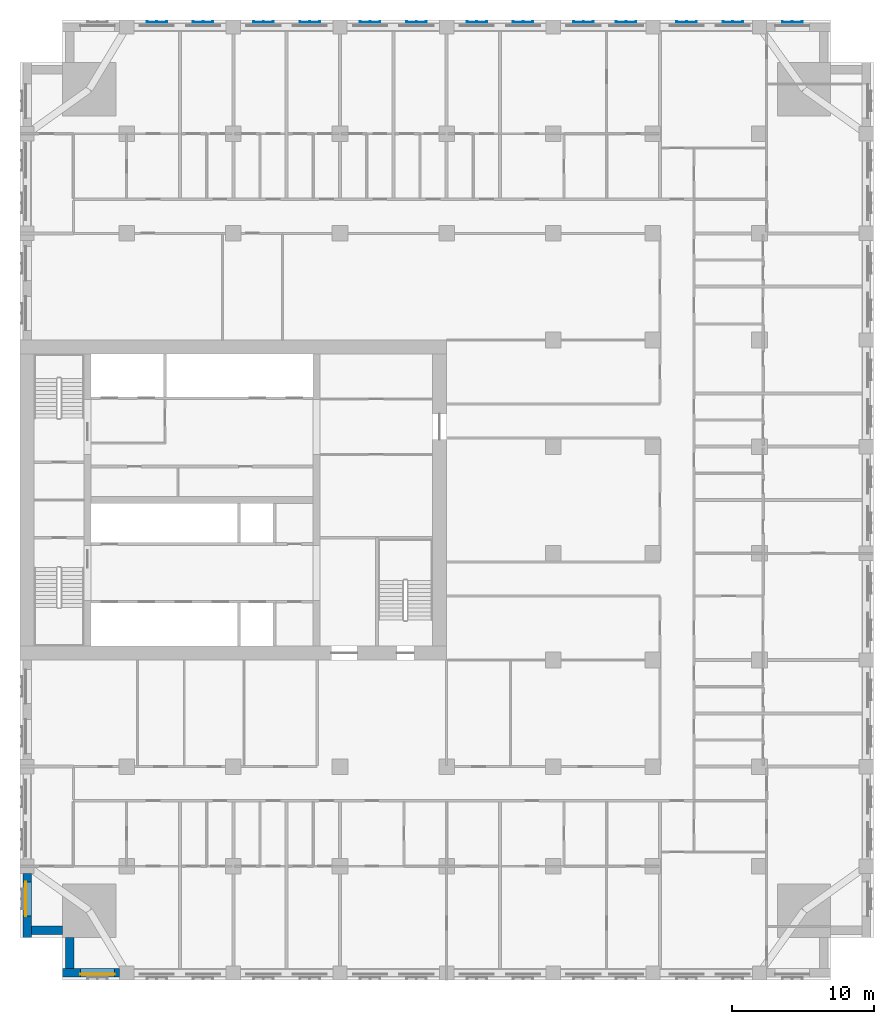
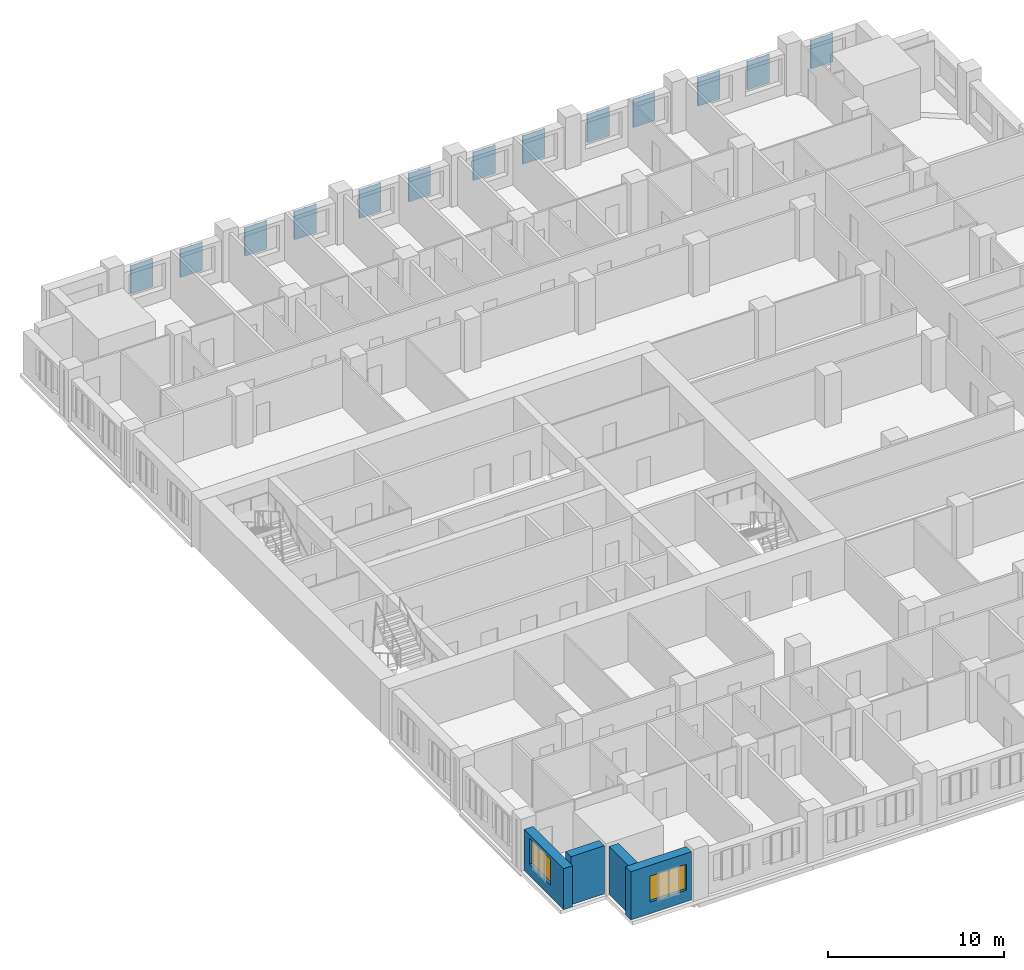
# One storey, part 3 of 15: 13 plates, 4 walls, 2 windows, 2 openings.
"""IFC4 building model written with IfcOpenShell, lengths in metres."""

from ifc_helpers import new_model, si_unit, direction, frame, frame_2d, origin, place, context, subcontext, project, spatial, polyline, rectangle, outline, extrude, material, layer, layer_set, type_object, element, fill, save


model = new_model("IFC4")

# Units and contexts
model_context = context("Model", 3, precision=1e-05, world=origin(), true_north=direction((0.0, 1.0)))
body_context = subcontext(model_context, "Body", "Model", "MODEL_VIEW")
ifc_project = project(units=[si_unit("LENGTHUNIT", "METRE"), si_unit("AREAUNIT", "SQUARE_METRE"), si_unit("VOLUMEUNIT", "CUBIC_METRE"), si_unit("PLANEANGLEUNIT", "RADIAN"), si_unit("MASSUNIT", "GRAM", prefix="KILO")], contexts=[model_context])

# Site, building, storey
site_placement = place(None, origin())
site = spatial("IfcSite", under=ifc_project, at=site_placement, CompositionType="ELEMENT")
building_placement = place(site_placement, origin())
building = spatial("IfcBuilding", under=site, at=building_placement, Name="Tamorin Gate", CompositionType="ELEMENT")
storey_placement = place(building_placement, frame((0.0, 0.0, 111.5)))
storey = spatial("IfcBuildingStorey", under=building, at=storey_placement, Name="L27", CompositionType="ELEMENT", Elevation=111.5)

# Plates
ifc_material_1 = material(Name="Perforated pale aluminium sheet", Category="aluminium")
ifc_layer_1 = layer(ifc_material_1, 0.0400390625)
ifc_layer_set_1 = layer_set([ifc_layer_1], Name="Pale metal solar screen 1440")
plate_type = type_object("IfcPlateType", Name="Pale metal solar screen 1440", PredefinedType="SHEET", material=ifc_layer_set_1)
plate_1_placement = place(storey_placement, frame((0.0, 0.0, 0.7099609375)))
element("IfcPlate", 1, at=plate_1_placement, inside=storey, type_object=plate_type, Name="Perforated solar screen", PredefinedType="SHEET", context=body_context, shape_type="SweptSolid", body=[
    extrude(outline(polyline([(85.02001953125, 104.840087890625), (85.02001953125, 104.800048828125), (84.9599609375, 104.800048828125), (84.330078125, 104.800048828125), (84.27001953125, 104.800048828125), (83.639892578125, 104.800048828125), (83.580078125, 104.800048828125), (83.580078125, 104.840087890625), (83.580078125, 104.89990234375), (83.639892578125, 104.89990234375), (83.639892578125, 104.840087890625), (84.27001953125, 104.840087890625), (84.27001953125, 104.89990234375), (84.330078125, 104.89990234375), (84.330078125, 104.840087890625), (84.9599609375, 104.840087890625), (84.9599609375, 104.89990234375), (85.02001953125, 104.89990234375), (85.02001953125, 104.840087890625)])), origin(), (0.0, 0.0, 1.0), 1.97998046875),
])
plate_2_placement = place(storey_placement, frame((0.0, 0.0, 0.7099609375)))
element("IfcPlate", 2, at=plate_2_placement, inside=storey, type_object=plate_type, Name="Perforated solar screen", PredefinedType="SHEET", context=body_context, shape_type="SweptSolid", body=[
    extrude(outline(polyline([(77.594970703125, 104.840087890625), (77.594970703125, 104.800048828125), (77.534912109375, 104.800048828125), (76.905029296875, 104.800048828125), (76.844970703125, 104.800048828125), (76.215087890625, 104.800048828125), (76.155029296875, 104.800048828125), (76.155029296875, 104.840087890625), (76.155029296875, 104.89990234375), (76.215087890625, 104.89990234375), (76.215087890625, 104.840087890625), (76.844970703125, 104.840087890625), (76.844970703125, 104.89990234375), (76.905029296875, 104.89990234375), (76.905029296875, 104.840087890625), (77.534912109375, 104.840087890625), (77.534912109375, 104.89990234375), (77.594970703125, 104.89990234375), (77.594970703125, 104.840087890625)])), origin(), (0.0, 0.0, 1.0), 1.97998046875),
])
plate_3_placement = place(storey_placement, frame((0.0, 0.0, 0.7099609375)))
element("IfcPlate", 3, at=plate_3_placement, inside=storey, type_object=plate_type, Name="Perforated solar screen", PredefinedType="SHEET", context=body_context, shape_type="SweptSolid", body=[
    extrude(outline(polyline([(80.844970703125, 104.840087890625), (80.844970703125, 104.800048828125), (80.784912109375, 104.800048828125), (80.155029296875, 104.800048828125), (80.094970703125, 104.800048828125), (79.465087890625, 104.800048828125), (79.405029296875, 104.800048828125), (79.405029296875, 104.800048828125), (79.405029296875, 104.840087890625), (79.405029296875, 104.840087890625), (79.405029296875, 104.89990234375), (79.465087890625, 104.89990234375), (79.465087890625, 104.840087890625), (80.094970703125, 104.840087890625), (80.094970703125, 104.89990234375), (80.155029296875, 104.89990234375), (80.155029296875, 104.840087890625), (80.784912109375, 104.840087890625), (80.784912109375, 104.89990234375), (80.844970703125, 104.89990234375), (80.844970703125, 104.840087890625)])), origin(), (0.0, 0.0, 1.0), 1.97998046875),
])
plate_4_placement = place(storey_placement, frame((0.0, 0.0, 0.7099609375)))
element("IfcPlate", 4, at=plate_4_placement, inside=storey, type_object=plate_type, Name="Perforated solar screen", PredefinedType="SHEET", context=body_context, shape_type="SweptSolid", body=[
    extrude(outline(polyline([(70.344970703125, 104.840087890625), (70.344970703125, 104.800048828125), (70.284912109375, 104.800048828125), (69.655029296875, 104.800048828125), (69.594970703125, 104.800048828125), (68.965087890625, 104.800048828125), (68.905029296875, 104.800048828125), (68.905029296875, 104.840087890625), (68.905029296875, 104.89990234375), (68.965087890625, 104.89990234375), (68.965087890625, 104.840087890625), (69.594970703125, 104.840087890625), (69.594970703125, 104.89990234375), (69.655029296875, 104.89990234375), (69.655029296875, 104.840087890625), (70.284912109375, 104.840087890625), (70.284912109375, 104.89990234375), (70.344970703125, 104.89990234375), (70.344970703125, 104.840087890625)])), origin(), (0.0, 0.0, 1.0), 1.97998046875),
])
plate_5_placement = place(storey_placement, frame((0.0, 0.0, 0.7099609375)))
element("IfcPlate", 5, at=plate_5_placement, inside=storey, type_object=plate_type, Name="Perforated solar screen", PredefinedType="SHEET", context=body_context, shape_type="SweptSolid", body=[
    extrude(outline(polyline([(73.344970703125, 104.840087890625), (73.344970703125, 104.800048828125), (73.284912109375, 104.800048828125), (72.655029296875, 104.800048828125), (72.594970703125, 104.800048828125), (71.965087890625, 104.800048828125), (71.905029296875, 104.800048828125), (71.905029296875, 104.840087890625), (71.905029296875, 104.89990234375), (71.965087890625, 104.89990234375), (71.965087890625, 104.840087890625), (72.594970703125, 104.840087890625), (72.594970703125, 104.89990234375), (72.655029296875, 104.89990234375), (72.655029296875, 104.840087890625), (73.284912109375, 104.840087890625), (73.284912109375, 104.89990234375), (73.344970703125, 104.89990234375), (73.344970703125, 104.840087890625)])), origin(), (0.0, 0.0, 1.0), 1.97998046875),
])
plate_6_placement = place(storey_placement, frame((0.0, 0.0, 0.7099609375)))
element("IfcPlate", 6, at=plate_6_placement, inside=storey, type_object=plate_type, Name="Perforated solar screen", PredefinedType="SHEET", context=body_context, shape_type="SweptSolid", body=[
    extrude(outline(polyline([(62.844970703125, 104.840087890625), (62.844970703125, 104.800048828125), (62.784912109375, 104.800048828125), (62.155029296875, 104.800048828125), (62.094970703125, 104.800048828125), (61.465087890625, 104.800048828125), (61.405029296875, 104.800048828125), (61.405029296875, 104.840087890625), (61.405029296875, 104.89990234375), (61.465087890625, 104.89990234375), (61.465087890625, 104.840087890625), (62.094970703125, 104.840087890625), (62.094970703125, 104.89990234375), (62.155029296875, 104.89990234375), (62.155029296875, 104.840087890625), (62.784912109375, 104.840087890625), (62.784912109375, 104.89990234375), (62.844970703125, 104.89990234375), (62.844970703125, 104.840087890625)])), origin(), (0.0, 0.0, 1.0), 1.97998046875),
])
plate_7_placement = place(storey_placement, frame((0.0, 0.0, 0.7099609375)))
element("IfcPlate", 7, at=plate_7_placement, inside=storey, type_object=plate_type, Name="Perforated solar screen", PredefinedType="SHEET", context=body_context, shape_type="SweptSolid", body=[
    extrude(outline(polyline([(66.094970703125, 104.840087890625), (66.094970703125, 104.800048828125), (66.034912109375, 104.800048828125), (65.405029296875, 104.800048828125), (65.344970703125, 104.800048828125), (64.715087890625, 104.800048828125), (64.655029296875, 104.800048828125), (64.655029296875, 104.840087890625), (64.655029296875, 104.89990234375), (64.715087890625, 104.89990234375), (64.715087890625, 104.840087890625), (65.344970703125, 104.840087890625), (65.344970703125, 104.89990234375), (65.405029296875, 104.89990234375), (65.405029296875, 104.840087890625), (66.034912109375, 104.840087890625), (66.034912109375, 104.89990234375), (66.094970703125, 104.89990234375), (66.094970703125, 104.840087890625)])), origin(), (0.0, 0.0, 1.0), 1.97998046875),
])
plate_8_placement = place(storey_placement, frame((0.0, 0.0, 0.7099609375)))
element("IfcPlate", 8, at=plate_8_placement, inside=storey, type_object=plate_type, Name="Perforated solar screen", PredefinedType="SHEET", context=body_context, shape_type="SweptSolid", body=[
    extrude(outline(polyline([(55.344970703125, 104.840087890625), (55.344970703125, 104.800048828125), (55.284912109375, 104.800048828125), (54.655029296875, 104.800048828125), (54.594970703125, 104.800048828125), (53.965087890625, 104.800048828125), (53.905029296875, 104.800048828125), (53.905029296875, 104.840087890625), (53.905029296875, 104.89990234375), (53.965087890625, 104.89990234375), (53.965087890625, 104.840087890625), (54.594970703125, 104.840087890625), (54.594970703125, 104.89990234375), (54.655029296875, 104.89990234375), (54.655029296875, 104.840087890625), (55.284912109375, 104.840087890625), (55.284912109375, 104.89990234375), (55.344970703125, 104.89990234375), (55.344970703125, 104.840087890625)])), origin(), (0.0, 0.0, 1.0), 1.97998046875),
])
plate_9_placement = place(storey_placement, frame((0.0, 0.0, 0.7099609375)))
element("IfcPlate", 9, at=plate_9_placement, inside=storey, type_object=plate_type, Name="Perforated solar screen", PredefinedType="SHEET", context=body_context, shape_type="SweptSolid", body=[
    extrude(outline(polyline([(58.594970703125, 104.840087890625), (58.594970703125, 104.800048828125), (58.534912109375, 104.800048828125), (57.905029296875, 104.800048828125), (57.844970703125, 104.800048828125), (57.215087890625, 104.800048828125), (57.155029296875, 104.800048828125), (57.155029296875, 104.840087890625), (57.155029296875, 104.89990234375), (57.215087890625, 104.89990234375), (57.215087890625, 104.840087890625), (57.844970703125, 104.840087890625), (57.844970703125, 104.89990234375), (57.905029296875, 104.89990234375), (57.905029296875, 104.840087890625), (58.534912109375, 104.840087890625), (58.534912109375, 104.89990234375), (58.594970703125, 104.89990234375), (58.594970703125, 104.840087890625)])), origin(), (0.0, 0.0, 1.0), 1.97998046875),
])
plate_10_placement = place(storey_placement, frame((0.0, 0.0, 0.7099609375)))
element("IfcPlate", 10, at=plate_10_placement, inside=storey, type_object=plate_type, Name="Perforated solar screen", PredefinedType="SHEET", context=body_context, shape_type="SweptSolid", body=[
    extrude(outline(polyline([(47.844970703125, 104.840087890625), (47.844970703125, 104.800048828125), (47.784912109375, 104.800048828125), (47.155029296875, 104.800048828125), (47.094970703125, 104.800048828125), (46.465087890625, 104.800048828125), (46.405029296875, 104.800048828125), (46.405029296875, 104.840087890625), (46.405029296875, 104.89990234375), (46.465087890625, 104.89990234375), (46.465087890625, 104.840087890625), (47.094970703125, 104.840087890625), (47.094970703125, 104.89990234375), (47.155029296875, 104.89990234375), (47.155029296875, 104.840087890625), (47.784912109375, 104.840087890625), (47.784912109375, 104.89990234375), (47.844970703125, 104.89990234375), (47.844970703125, 104.840087890625)])), origin(), (0.0, 0.0, 1.0), 1.97998046875),
])
plate_11_placement = place(storey_placement, frame((0.0, 0.0, 0.7099609375)))
element("IfcPlate", 11, at=plate_11_placement, inside=storey, type_object=plate_type, Name="Perforated solar screen", PredefinedType="SHEET", context=body_context, shape_type="SweptSolid", body=[
    extrude(outline(polyline([(51.094970703125, 104.840087890625), (51.094970703125, 104.800048828125), (51.034912109375, 104.800048828125), (50.405029296875, 104.800048828125), (50.344970703125, 104.800048828125), (49.715087890625, 104.800048828125), (49.655029296875, 104.800048828125), (49.655029296875, 104.840087890625), (49.655029296875, 104.89990234375), (49.715087890625, 104.89990234375), (49.715087890625, 104.840087890625), (50.344970703125, 104.840087890625), (50.344970703125, 104.89990234375), (50.405029296875, 104.89990234375), (50.405029296875, 104.840087890625), (51.034912109375, 104.840087890625), (51.034912109375, 104.89990234375), (51.094970703125, 104.89990234375), (51.094970703125, 104.840087890625)])), origin(), (0.0, 0.0, 1.0), 1.97998046875),
])
plate_12_placement = place(storey_placement, frame((0.0, 0.0, 0.7099609375)))
element("IfcPlate", 12, at=plate_12_placement, inside=storey, type_object=plate_type, Name="Perforated solar screen", PredefinedType="SHEET", context=body_context, shape_type="SweptSolid", body=[
    extrude(outline(polyline([(40.344970703125, 104.840087890625), (40.344970703125, 104.800048828125), (40.284912109375, 104.800048828125), (39.655029296875, 104.800048828125), (39.594970703125, 104.800048828125), (38.965087890625, 104.800048828125), (38.905029296875, 104.800048828125), (38.905029296875, 104.840087890625), (38.905029296875, 104.89990234375), (38.965087890625, 104.89990234375), (38.965087890625, 104.840087890625), (39.594970703125, 104.840087890625), (39.594970703125, 104.89990234375), (39.655029296875, 104.89990234375), (39.655029296875, 104.840087890625), (40.284912109375, 104.840087890625), (40.284912109375, 104.89990234375), (40.344970703125, 104.89990234375), (40.344970703125, 104.840087890625)])), origin(), (0.0, 0.0, 1.0), 1.97998046875),
])
plate_13_placement = place(storey_placement, frame((0.0, 0.0, 0.7099609375)))
element("IfcPlate", 13, at=plate_13_placement, inside=storey, type_object=plate_type, Name="Perforated solar screen", PredefinedType="SHEET", context=body_context, shape_type="SweptSolid", body=[
    extrude(outline(polyline([(43.594970703125, 104.840087890625), (43.594970703125, 104.800048828125), (43.534912109375, 104.800048828125), (42.905029296875, 104.800048828125), (42.844970703125, 104.800048828125), (42.215087890625, 104.800048828125), (42.155029296875, 104.800048828125), (42.155029296875, 104.840087890625), (42.155029296875, 104.89990234375), (42.215087890625, 104.89990234375), (42.215087890625, 104.840087890625), (42.844970703125, 104.840087890625), (42.844970703125, 104.89990234375), (42.905029296875, 104.89990234375), (42.905029296875, 104.840087890625), (43.534912109375, 104.840087890625), (43.534912109375, 104.89990234375), (43.594970703125, 104.89990234375), (43.594970703125, 104.840087890625)])), origin(), (0.0, 0.0, 1.0), 1.97998046875),
])

# Wall, opening, window
ifc_material_2 = material(Name="Precast concrete C40/50", Category="concrete")
ifc_layer_2 = layer(ifc_material_2, 0.60009765625)
ifc_layer_set_2 = layer_set([ifc_layer_2], Name="Precast concrete C40/50")
wall_type = type_object("IfcWallType", Name="Board-marked concrete facade panel 600", PredefinedType="SOLIDWALL", material=ifc_layer_set_2)
wall_1_placement = place(storey_placement, frame((33.0, 38.0, 0.0), z_axis=(0.0, 0.0, 1.0), x_axis=(1.0, 0.0, 0.0)))
wall_1 = element("IfcWall", 14, at=wall_1_placement, inside=storey, type_object=wall_type, Name="Facade panel", PredefinedType="SOLIDWALL", context=body_context, shape_type="SweptSolid", body=[
    extrude(rectangle(XDim=4.0, YDim=0.60009765625, at=frame_2d((2.0, 0.0))), origin(), (0.0, 0.0, 1.0), 3.35009765625),
])
opening_1_placement = place(wall_1_placement, frame((1.25, 0.0, 0.800048828125)))
opening_1 = element("IfcOpeningElement", 15, at=opening_1_placement, cuts=wall_1, Name="Opening WN1", PredefinedType="OPENING", context=body_context, shape_type="SweptSolid", body=[
    extrude(rectangle(XDim=2.39990234375, YDim=1.800048828125, at=frame_2d((1.199951171875, 0.89990234375))), frame((0.0, 0.31005859375, 0.0), z_axis=(0.0, -1.0, 0.0), x_axis=(1.0, 0.0, 0.0)), (0.0, 0.0, 1.0), 0.6201171875),
])
ifc_material_3 = material(Name="Clear glass in aluminium frame", Category="aluminium")
window_type = type_object("IfcWindowType", Name="Deep-set window 2400x1800", PartitioningType="SINGLE_PANEL", PredefinedType="WINDOW", material=ifc_material_3)
window_1_placement = place(opening_1_placement, origin())
window_1 = element("IfcWindow", 16, at=window_1_placement, inside=storey, type_object=window_type, Name="Deep-set window", OverallHeight=1.800048828125, OverallWidth=2.39990234375, PartitioningType="SINGLE_PANEL", PredefinedType="WINDOW", context=body_context, shape_type="SweptSolid", body=[
    extrude(rectangle(XDim=2.39990234375, YDim=1.800048828125, at=frame_2d((1.199951171875, 0.89990234375))), frame((0.0, -0.070068359375, 0.0), z_axis=(0.0, -1.0, 0.0), x_axis=(1.0, 0.0, 0.0)), (0.0, 0.0, 1.0), 0.06005859375),
])
fill(opening_1, window_1)

wall_2_placement = place(storey_placement, frame((30.5, 45.0, 0.0), z_axis=(0.0, 0.0, 1.0), x_axis=(0.0, -1.0, 0.0)))
wall_2 = element("IfcWall", 17, at=wall_2_placement, inside=storey, type_object=wall_type, Name="Facade panel", PredefinedType="SOLIDWALL", context=body_context, shape_type="SweptSolid", body=[
    extrude(rectangle(XDim=4.5, YDim=0.60009765625, at=frame_2d((2.25, 0.0))), origin(), (0.0, 0.0, 1.0), 2.85009765625),
])
opening_2_placement = place(wall_2_placement, frame((0.60009765625, 0.0, 0.800048828125)))
opening_2 = element("IfcOpeningElement", 18, at=opening_2_placement, cuts=wall_2, Name="Opening WN1", PredefinedType="OPENING", context=body_context, shape_type="SweptSolid", body=[
    extrude(rectangle(XDim=2.39990234375, YDim=1.800048828125, at=frame_2d((1.199951171875, 0.89990234375))), frame((0.0, 0.31005859375, 0.0), z_axis=(0.0, -1.0, 0.0), x_axis=(1.0, 0.0, 0.0)), (0.0, 0.0, 1.0), 0.6201171875),
])
window_2_placement = place(opening_2_placement, origin())
window_2 = element("IfcWindow", 19, at=window_2_placement, inside=storey, type_object=window_type, Name="Deep-set window", OverallHeight=1.800048828125, OverallWidth=2.39990234375, PartitioningType="SINGLE_PANEL", PredefinedType="WINDOW", context=body_context, shape_type="SweptSolid", body=[
    extrude(rectangle(XDim=2.39990234375, YDim=1.800048828125, at=frame_2d((1.199951171875, 0.89990234375))), frame((0.0, -0.070068359375, 0.0), z_axis=(0.0, -1.0, 0.0), x_axis=(1.0, 0.0, 0.0)), (0.0, 0.0, 1.0), 0.06005859375),
])
fill(opening_2, window_2)

# Walls
for number, where, z_axis, x_axis, name in (
    (20, (30.800048828125, 41.0, 0.0), (0.0, 0.0, 1.0), (1.0, 0.0, 0.0), "Facade panel"),
    (21, (33.5, 40.5, 0.0), (0.0, 0.0, 1.0), (0.0, -1.0, 0.0), "Facade panel"),
):
    element("IfcWall", number, at=place(storey_placement, frame(where, z_axis=z_axis, x_axis=x_axis)), inside=storey, type_object=wall_type, Name=name, PredefinedType="SOLIDWALL", context=body_context, shape_type="SweptSolid", body=[
        extrude(rectangle(XDim=2.199951171875, YDim=0.60009765625, at=frame_2d((1.10009765625, 0.0))), origin(), (0.0, 0.0, 1.0), 3.35009765625),
    ])

save(model, "model.ifc")
